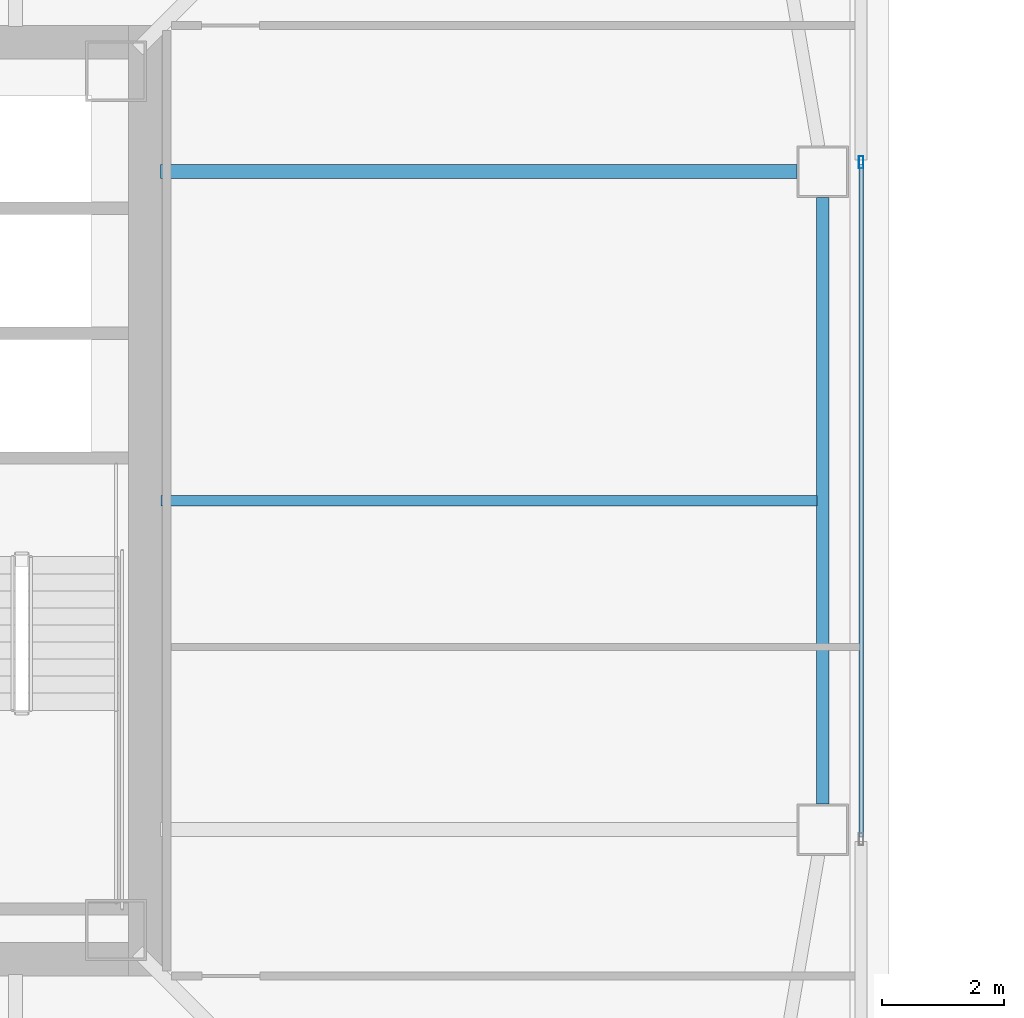
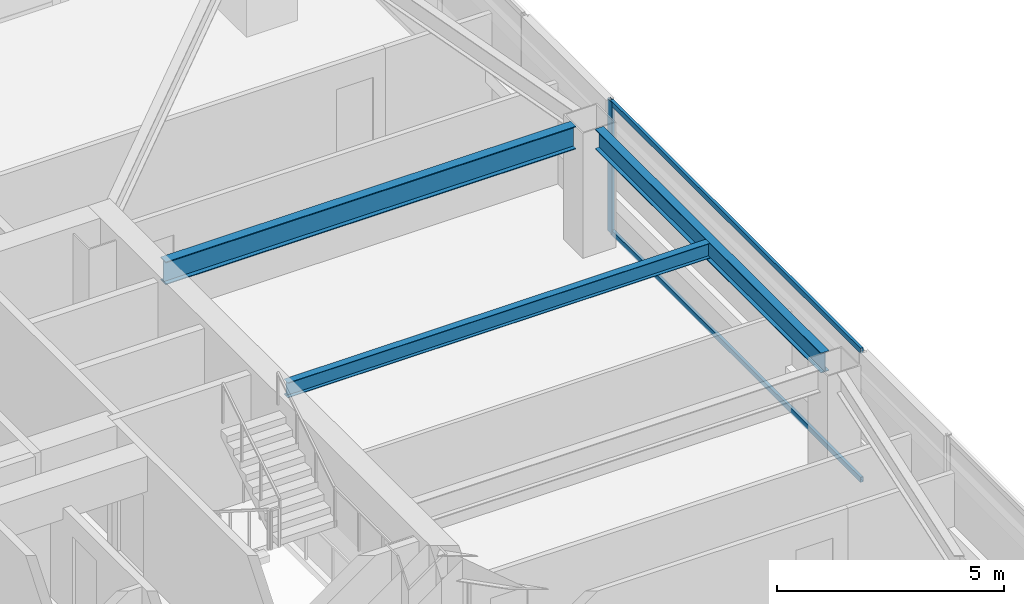
# One storey, part 9 of 46: 3 beams, 3 members, 1 element without a shape of its own.
"""IFC4 building model written with IfcOpenShell, lengths in metres."""

import ifcopenshell
import ifcopenshell.guid

model = None  # the IFC model being written
_history = None  # IfcOwnerHistory: only IFC2X3 demands one
_inside = {}  # id of a spatial element -> (the spatial element, [elements in it])
_under = {}  # id of a project, library or spatial element -> (it, [spatial elements below it])
_declared = {}  # id of a project -> (the project, [libraries it declares])
_typed = {}  # id of a type object -> (the type object, [elements of that type])
_made_of = {}  # id of a material, layer set ... -> (it, [elements and type objects made of it])


def new_model(schema):
    """Start an empty IFC model of exactly this schema.

    Asked for "IFC4X3", IfcOpenShell would pick the latest addendum, in which some entities
    have other attributes; the version numbers below select the first issue.
    IFC2X3 requires an IfcOwnerHistory on every rooted entity: one is made here for all.
    """
    global model, _history
    if schema == "IFC4X3":
        model = ifcopenshell.file(schema_version=(4, 3, 0, 0))
    else:
        model = ifcopenshell.file(schema=schema)
    _inside.clear()
    _under.clear()
    _declared.clear()
    _typed.clear()
    _made_of.clear()
    _history = None
    if model.schema == "IFC2X3":
        org = make("IfcOrganization", Name="unknown")
        user = make(
            "IfcPersonAndOrganization",
            ThePerson=make("IfcPerson", FamilyName="unknown"),
            TheOrganization=org,
        )
        app = make(
            "IfcApplication",
            ApplicationDeveloper=org,
            Version="unknown",
            ApplicationFullName="unknown",
            ApplicationIdentifier="unknown",
        )
        _history = make(
            "IfcOwnerHistory",
            OwningUser=user,
            OwningApplication=app,
            ChangeAction="ADDED",
            CreationDate=0,
        )
    return model


def make(cls, **values):
    """One entity of the class cls with the attributes given. An attribute that is None is left unset."""
    return model.create_entity(
        cls, **{name: value for name, value in values.items() if value is not None}
    )


def rooted(cls, **values):
    """An entity with a GlobalId (a new one), such as an element, a storey or a relation."""
    return make(cls, GlobalId=ifcopenshell.guid.new(), OwnerHistory=_history, **values)


def si_unit(unit_type, name, prefix=None):
    """IfcSIUnit, for example si_unit("LENGTHUNIT", "METRE", prefix="MILLI")."""
    return make("IfcSIUnit", UnitType=unit_type, Prefix=prefix, Name=name)


def assignment(units):
    """IfcUnitAssignment: the units of a project."""
    return None if units is None else make("IfcUnitAssignment", Units=units)


def point(xyz):
    """IfcCartesianPoint."""
    return None if xyz is None else make("IfcCartesianPoint", Coordinates=xyz)


def direction(xyz):
    """IfcDirection."""
    return None if xyz is None else make("IfcDirection", DirectionRatios=xyz)


def frame(location, z_axis=None, x_axis=None):
    """IfcAxis2Placement3D, a coordinate frame: its origin and axes. An axis left out is left unset."""
    return make(
        "IfcAxis2Placement3D",
        Location=point(location),
        Axis=direction(z_axis),
        RefDirection=direction(x_axis),
    )


def frame_2d(location, x_axis=None):
    """IfcAxis2Placement2D, a coordinate frame in the plane: its origin and x axis."""
    return make(
        "IfcAxis2Placement2D", Location=point(location), RefDirection=direction(x_axis)
    )


def origin():
    """The frame at (0, 0, 0) with its axes left unset."""
    return frame((0.0, 0.0, 0.0))


def origin_2d():
    """The frame at (0, 0) in the plane with its x axis left unset."""
    return frame_2d((0.0, 0.0))


def place(relative_to, where):
    """IfcLocalPlacement: puts the frame where relative to a parent placement (None: the world)."""
    return make(
        "IfcLocalPlacement", PlacementRelTo=relative_to, RelativePlacement=where
    )


def context(
    kind, dimensions, precision=None, world=None, true_north=None, identifier=None
):
    """IfcGeometricRepresentationContext, for example the 3D "Model" context."""
    return make(
        "IfcGeometricRepresentationContext",
        ContextIdentifier=identifier,
        ContextType=kind,
        CoordinateSpaceDimension=dimensions,
        Precision=precision,
        WorldCoordinateSystem=world,
        TrueNorth=true_north,
    )


def subcontext(parent, identifier, kind, view, scale=None):
    """IfcGeometricRepresentationSubContext, for example "Body" below "Model"."""
    return make(
        "IfcGeometricRepresentationSubContext",
        ContextIdentifier=identifier,
        ContextType=kind,
        ParentContext=parent,
        TargetScale=scale,
        TargetView=view,
    )


def project(units=None, contexts=None):
    """IfcProject with its units and contexts."""
    return rooted(
        "IfcProject",
        Name="project",
        RepresentationContexts=contexts,
        UnitsInContext=assignment(units),
    )


def spatial(cls, under=None, at=None, **own):
    """A site, building, storey or space (cls), placed at a placement, below another one or the project."""
    s = rooted(cls, ObjectPlacement=at, **own)
    if under is not None:
        _under.setdefault(under.id(), (under, []))[1].append(s)
    return s


def profile(cls, at=None, kind="AREA", **sizes):
    """A parametric profile (cls). Its sizes go by their IFC names, for example OverallWidth=200.0."""
    return make(cls, ProfileType=kind, Position=at, **sizes)


def hollow_rectangle(**sizes):
    """IfcRectangleHollowProfileDef."""
    return profile("IfcRectangleHollowProfileDef", **sizes)


def i_section(**sizes):
    """IfcIShapeProfileDef."""
    return profile("IfcIShapeProfileDef", **sizes)


def extrude(swept, where, along, depth):
    """IfcExtrudedAreaSolid: the profile swept, set in the frame where, extruded along a direction by depth."""
    return make(
        "IfcExtrudedAreaSolid",
        SweptArea=swept,
        Position=where,
        ExtrudedDirection=direction(along),
        Depth=depth,
    )


def shape(context_of_items, identifier, shape_type, items):
    """IfcShapeRepresentation: the items that make up one representation, for example the "Body"."""
    return make(
        "IfcShapeRepresentation",
        ContextOfItems=context_of_items,
        RepresentationIdentifier=identifier,
        RepresentationType=shape_type,
        Items=items,
    )


def material(Name=None, Category=None):
    """IfcMaterial."""
    return make("IfcMaterial", Name=Name, Category=Category)


def material_profile(
    of_material, cross_section, Name=None, Category=None, Priority=None
):
    """IfcMaterialProfile: a cross section and its material."""
    return make(
        "IfcMaterialProfile",
        Name=Name,
        Material=of_material,
        Profile=cross_section,
        Priority=Priority,
        Category=Category,
    )


def profile_set(profiles, Name=None, composite=None):
    """IfcMaterialProfileSet."""
    return make(
        "IfcMaterialProfileSet",
        Name=Name,
        MaterialProfiles=profiles,
        CompositeProfile=composite,
    )


def made_of(thing, what):
    """Note that an element or type object is made of a material, layer set ...; save() writes the relation."""
    if what is not None:
        _made_of.setdefault(what.id(), (what, []))[1].append(thing)
    return thing


def type_object(cls, material=None, **own):
    """A type object (cls), such as IfcWallType, which elements share."""
    return made_of(rooted(cls, **own), material)


def element(
    cls,
    number,
    at=None,
    inside=None,
    cuts=None,
    type_object=None,
    material=None,
    context=None,
    identifier="Body",
    shape_type=None,
    held_by="IfcProductDefinitionShape",
    body=None,
    shapes=None,
    **own,
):
    """One element of the class cls, such as IfcWall. Its Tag is "e" and its number.

    at: its placement. inside: the storey or other place that contains it. cuts: it is an
    opening in that element (IfcRelVoidsElement). A single representation is given by context,
    identifier, shape_type and body (its items); several are given by shapes. held_by: the class
    of the entity that holds the representations. save() writes the other relations.
    """
    e = rooted(cls, Tag="e%d" % number, ObjectPlacement=at, **own)
    if body is not None:
        shapes = [shape(context, identifier, shape_type, body)]
    if shapes is not None:
        e.Representation = make(held_by, Representations=shapes)
    if inside is not None:
        _inside.setdefault(inside.id(), (inside, []))[1].append(e)
    if cuts is not None:
        rooted(
            "IfcRelVoidsElement", RelatingBuildingElement=cuts, RelatedOpeningElement=e
        )
    if type_object is not None:
        _typed.setdefault(type_object.id(), (type_object, []))[1].append(e)
    return made_of(e, material)


def aggregate(whole, parts):
    """IfcRelAggregates: a whole, such as a stair, and the parts it consists of."""
    return rooted("IfcRelAggregates", RelatingObject=whole, RelatedObjects=parts)


def save(model, path):
    """Write the relations noted so far, then the file.

    IfcRelAggregates (storeys below a building ...), IfcRelContainedInSpatialStructure (elements
    in a storey), IfcRelDefinesByType, IfcRelAssociatesMaterial and IfcRelDeclares: one each for
    every whole, place, type object, material and project.
    """
    for whole, parts in _under.values():
        aggregate(whole, parts)
    for where, things in _inside.values():
        rooted(
            "IfcRelContainedInSpatialStructure",
            RelatedElements=things,
            RelatingStructure=where,
        )
    for kind, things in _typed.values():
        rooted("IfcRelDefinesByType", RelatedObjects=things, RelatingType=kind)
    for what, things in _made_of.values():
        rooted("IfcRelAssociatesMaterial", RelatedObjects=things, RelatingMaterial=what)
    for by, libraries in _declared.values():
        rooted("IfcRelDeclares", RelatingContext=by, RelatedDefinitions=libraries)
    model.write(path)


model = new_model("IFC4")

# Units and contexts
model_context = context("Model", 3, precision=1e-05, world=origin(), true_north=direction((0.0, 1.0)))
body_context = subcontext(model_context, "Body", "Model", "MODEL_VIEW")
ifc_project = project(units=[si_unit("LENGTHUNIT", "METRE"), si_unit("AREAUNIT", "SQUARE_METRE"), si_unit("VOLUMEUNIT", "CUBIC_METRE"), si_unit("PLANEANGLEUNIT", "RADIAN"), si_unit("MASSUNIT", "GRAM", prefix="KILO")], contexts=[model_context])

# Site, building, storey
site_placement = place(None, origin())
site = spatial("IfcSite", under=ifc_project, at=site_placement, CompositionType="ELEMENT")
building_placement = place(site_placement, origin())
building = spatial("IfcBuilding", under=site, at=building_placement, Name="Tashvorn Skyway Center", CompositionType="ELEMENT")
storey_placement = place(building_placement, frame((0.0, 0.0, 132.14990234375)))
storey = spatial("IfcBuildingStorey", under=building, at=storey_placement, Name="L35", CompositionType="ELEMENT", Elevation=132.14990234375)

# Beams
ifc_material_1 = material(Name="Steel ASTM A992 Grade 50", Category="steel")
ifc_material_profile_1 = material_profile(ifc_material_1, i_section(OverallWidth=0.22998046875, OverallDepth=0.616943359375, WebThickness=0.01318359375, FlangeThickness=0.022216796875, at=origin_2d()), Name="W24X94")
ifc_profile_set_1 = profile_set([ifc_material_profile_1], Name="Steel ASTM A992 Grade 50")
beam_type_1 = type_object("IfcBeamType", Name="BM-BEAM-W24X94", PredefinedType="BEAM", material=ifc_profile_set_1)
beam_1_placement = place(storey_placement, frame((60.22998046875, 37.39990234375, 3.0615234375), z_axis=(-1.0, 0.0, 0.0), x_axis=(0.0, -1.0, 0.0)))
element("IfcBeam", 1, at=beam_1_placement, inside=storey, type_object=beam_type_1, Name="Tower 1 L35 Primary Floor Girder FC-E2", PredefinedType="BEAM", context=body_context, shape_type="SweptSolid", body=[
    extrude(i_section(OverallWidth=0.22998046875, OverallDepth=0.616943359375, WebThickness=0.01318359375, FlangeThickness=0.022216796875, at=origin_2d()), origin(), (0.0, 0.0, 1.0), 10.449951171875),
])
ifc_material_profile_2 = material_profile(ifc_material_1, i_section(OverallWidth=0.177978515625, OverallDepth=0.406005859375, WebThickness=0.0078125, FlangeThickness=0.0126953125, at=origin_2d()), Name="W16X40")
ifc_profile_set_2 = profile_set([ifc_material_profile_2], Name="Steel ASTM A992 Grade 50")
beam_type_2 = type_object("IfcBeamType", Name="BM-JOIST-W16X40", PredefinedType="JOIST", material=ifc_profile_set_2)
beam_2_placement = place(storey_placement, frame((49.7900390625, 32.0, 3.1669921875), z_axis=(1.0, 0.0, 0.0), x_axis=(0.0, 1.0, 0.0)))
element("IfcBeam", 2, at=beam_2_placement, inside=storey, type_object=beam_type_2, Name="Tower 1 L35 Secondary Composite Joist JE", PredefinedType="JOIST", context=body_context, shape_type="SweptSolid", body=[
    extrude(i_section(OverallWidth=0.177978515625, OverallDepth=0.406005859375, WebThickness=0.0078125, FlangeThickness=0.0126953125, at=origin_2d()), origin(), (0.0, 0.0, 1.0), 10.762451171875),
])
ifc_material_profile_3 = material_profile(ifc_material_1, i_section(OverallWidth=0.2109375, OverallDepth=0.5390625, WebThickness=0.01171875, FlangeThickness=0.018798828125, at=origin_2d()), Name="W21X73")
ifc_profile_set_3 = profile_set([ifc_material_profile_3], Name="Steel ASTM A992 Grade 50")
beam_type_3 = type_object("IfcBeamType", Name="BM-SPANDREL-W21X73", PredefinedType="SPANDREL", material=ifc_profile_set_3)
beam_3_placement = place(storey_placement, frame((60.64990234375, 27.02001953125, 3.1005859375), z_axis=(0.0, 1.0, 0.0), x_axis=(-1.0, 0.0, 0.0)))
element("IfcBeam", 3, at=beam_3_placement, inside=storey, type_object=beam_type_3, Name="Tower 1 L35 Spandrel Beam 05", PredefinedType="SPANDREL", context=body_context, shape_type="SweptSolid", body=[
    extrude(i_section(OverallWidth=0.2109375, OverallDepth=0.5390625, WebThickness=0.01171875, FlangeThickness=0.018798828125, at=origin_2d()), origin(), (0.0, 0.0, 1.0), 9.9599609375),
])

# Curtain wall, members
ifc_material_2 = material(Name="Thermally broken bronze-anodized aluminium 6063-T6", Category="aluminium")
curtain_wall_type = type_object("IfcCurtainWallType", Name="CW-CW-Z3", PredefinedType="NOTDEFINED", material=ifc_material_2)
curtain_wall_placement = place(storey_placement, origin())
curtain_wall = element("IfcCurtainWall", 4, at=curtain_wall_placement, inside=storey, type_object=curtain_wall_type, Name="Tower 1 L35 East Unitised Curtain Wall Glazing Group 2", PredefinedType="NOTDEFINED")
ifc_material_profile_4 = material_profile(ifc_material_2, hollow_rectangle(XDim=0.074951171875, YDim=0.199951171875, WallThickness=0.00439453125, at=origin_2d()), Name="ALU-MULL-75x200")
ifc_profile_set_4 = profile_set([ifc_material_profile_4], Name="Thermally broken bronze-anodized aluminium 6063-T6")
member_type_1 = type_object("IfcMemberType", Name="CWM-CW-Z3", PredefinedType="MULLION", material=ifc_profile_set_4)
member_1_placement = place(storey_placement, frame((61.280029296875, 37.555908203125, 0.0), z_axis=(0.0, 0.0, 1.0), x_axis=(1.0, 0.0, 0.0)))
member_1 = element("IfcMember", 5, at=member_1_placement, type_object=member_type_1, Name="CW-Z3 mullion 1", PredefinedType="MULLION", context=body_context, shape_type="SweptSolid", body=[
    extrude(hollow_rectangle(XDim=0.074951171875, YDim=0.199951171875, WallThickness=0.00439453125, at=origin_2d()), origin(), (0.0, 0.0, 1.0), 3.550048828125),
])
ifc_material_profile_5 = material_profile(ifc_material_2, hollow_rectangle(XDim=0.074951171875, YDim=0.139892578125, WallThickness=0.004150390625, at=origin_2d()), Name="ALU-TRAN-75x140")
ifc_profile_set_5 = profile_set([ifc_material_profile_5], Name="Thermally broken bronze-anodized aluminium 6063-T6")
member_type_2 = type_object("IfcMemberType", Name="CWT-CW-Z3", PredefinedType="USERDEFINED", material=ifc_profile_set_5)
member_2_placement = place(storey_placement, frame((61.280029296875, 37.518310546875, 0.03759765625), z_axis=(0.0, -1.0, 0.0), x_axis=(1.0, 0.0, 0.0)))
member_2 = element("IfcMember", 6, at=member_2_placement, type_object=member_type_2, Name="CW-Z3 transom 1.1", ObjectType="TRANSOM", PredefinedType="USERDEFINED", context=body_context, shape_type="SweptSolid", body=[
    extrude(hollow_rectangle(XDim=0.074951171875, YDim=0.139892578125, WallThickness=0.004150390625, at=origin_2d()), origin(), (0.0, 0.0, 1.0), 11.03662109375),
])
member_3_placement = place(storey_placement, frame((61.280029296875, 37.518310546875, 3.5126953125), z_axis=(0.0, -1.0, 0.0), x_axis=(1.0, 0.0, 0.0)))
member_3 = element("IfcMember", 7, at=member_3_placement, type_object=member_type_2, Name="CW-Z3 transom 1.2", ObjectType="TRANSOM", PredefinedType="USERDEFINED", context=body_context, shape_type="SweptSolid", body=[
    extrude(hollow_rectangle(XDim=0.074951171875, YDim=0.139892578125, WallThickness=0.004150390625, at=origin_2d()), origin(), (0.0, 0.0, 1.0), 11.03662109375),
])
aggregate(curtain_wall, [member_1, member_2, member_3])

save(model, "model.ifc")
